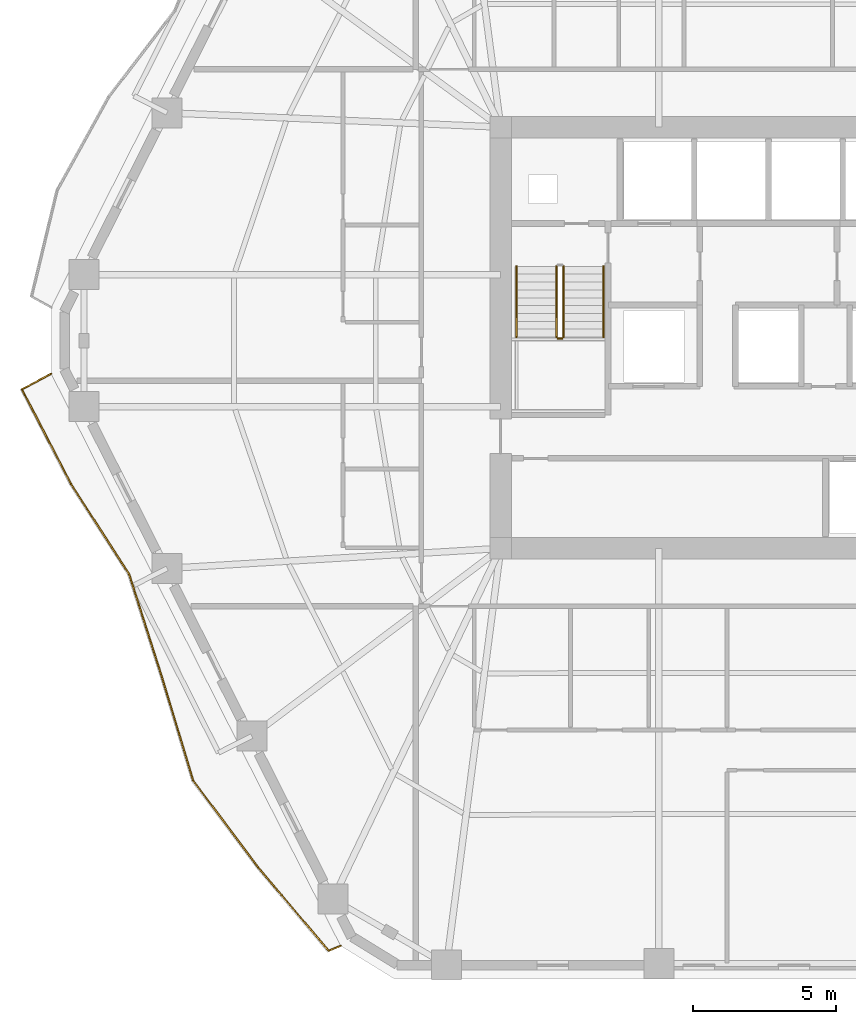
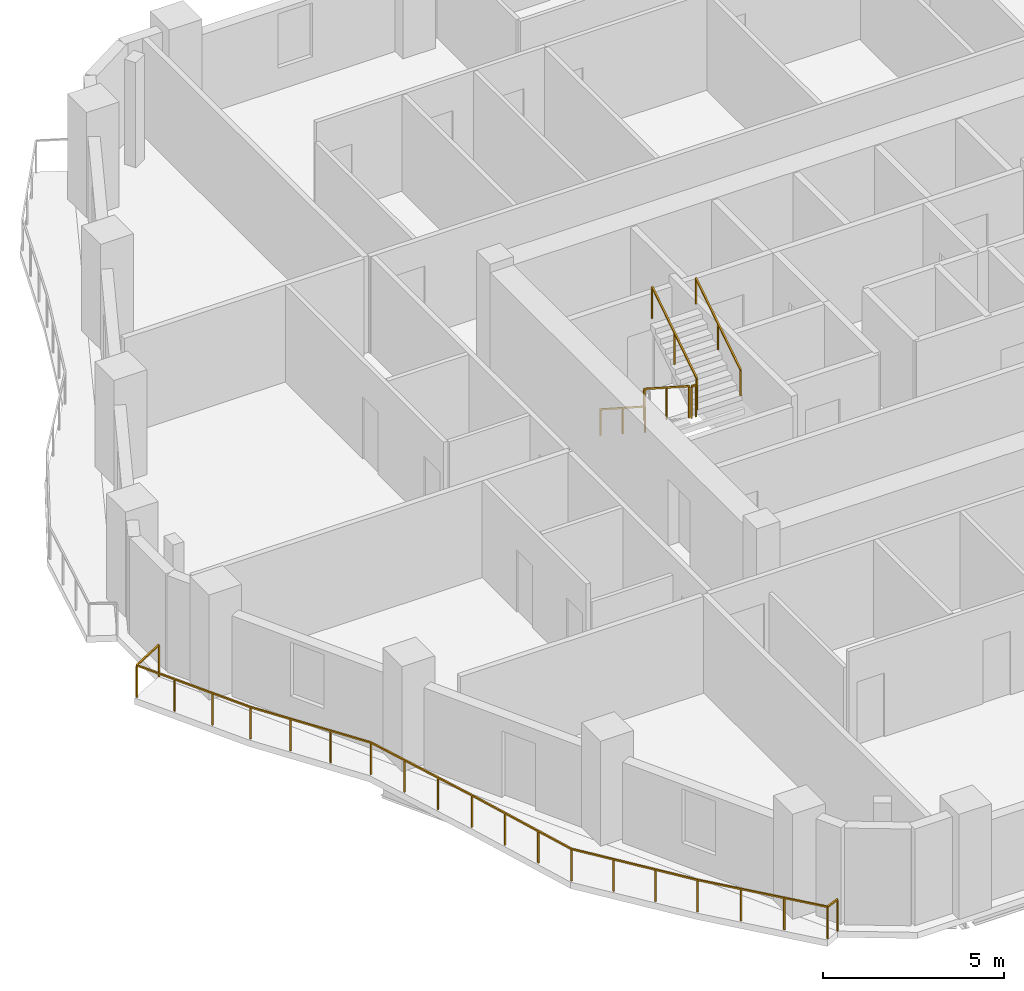
# One storey, part 9 of 11: 6 railings.
"""IFC4 building model written with IfcOpenShell, lengths in metres."""

from ifc_helpers import new_model, si_unit, direction, frame, origin, origin_2d, place, context, subcontext, project, spatial, rectangle, extrude, material, type_object, element, save


model = new_model("IFC4")

# Units and contexts
model_context = context("Model", 3, precision=1e-05, world=origin(), true_north=direction((0.0, 1.0)))
body_context = subcontext(model_context, "Body", "Model", "MODEL_VIEW")
ifc_project = project(units=[si_unit("LENGTHUNIT", "METRE"), si_unit("AREAUNIT", "SQUARE_METRE"), si_unit("VOLUMEUNIT", "CUBIC_METRE"), si_unit("PLANEANGLEUNIT", "RADIAN"), si_unit("MASSUNIT", "GRAM", prefix="KILO")], contexts=[model_context])

# Site, building, storey
site_placement = place(None, origin())
site = spatial("IfcSite", under=ifc_project, at=site_placement, CompositionType="ELEMENT")
building_placement = place(site_placement, origin())
building = spatial("IfcBuilding", under=site, at=building_placement, Name="Cinnabar Lancet Tower", CompositionType="ELEMENT")
storey_placement = place(building_placement, frame((0.0, 0.0, 144.550048828125)))
storey = spatial("IfcBuildingStorey", under=building, at=storey_placement, Name="L38", CompositionType="ELEMENT", Elevation=144.550048828125)

# Railings
ifc_material_1 = material(Name="Laminated safety glass and bronze stainless steel balustrade", Category="steel")
railing_type_1 = type_object("IfcRailingType", Name="ENV-RLG-BAL-1100", PredefinedType="BALUSTRADE", material=ifc_material_1)
railing_1_placement = place(storey_placement, frame((7.287109375, 24.639892578125, 0.0)))
element("IfcRailing", 1, at=railing_1_placement, inside=storey, type_object=railing_type_1, Name="L38 Face 6 Wave Balcony Balustrade", PredefinedType="BALUSTRADE", context=body_context, shape_type="SweptSolid", body=[
    extrude(rectangle(XDim=0.048095703125, YDim=0.048095703125, at=origin_2d()), frame((0.0, 0.0, 1.076171875), z_axis=(-0.881511304116, -0.472162917556, 0.0), x_axis=(0.472162917556, -0.881511304116, 0.0)), (0.0, 0.0, 1.0), 1.158203125),
    extrude(rectangle(XDim=0.048095703125, YDim=0.048095703125, at=origin_2d()), frame((-1.02099609375, -0.546875, 1.076171875), z_axis=(0.459675567449, -0.888086917306, 0.0), x_axis=(0.888086917306, 0.459675567449, 0.0)), (0.0, 0.0, 1.0), 3.732666015625),
    extrude(rectangle(XDim=0.048095703125, YDim=0.048095703125, at=origin_2d()), frame((0.69482421875, -3.86181640625, 1.076171875), z_axis=(0.541885240181, -0.840452489124, 0.0), x_axis=(0.840452489124, 0.541885240181, 0.0)), (0.0, 0.0, 1.0), 3.751708984375),
    extrude(rectangle(XDim=0.048095703125, YDim=0.048095703125, at=origin_2d()), frame((2.727783203125, -7.014892578125, 1.076171875), z_axis=(0.304163702154, -0.952619778449, 0.0), x_axis=(0.952619778449, 0.304163702154, 0.0)), (0.0, 0.0, 1.0), 3.778076171875),
    extrude(rectangle(XDim=0.048095703125, YDim=0.048095703125, at=origin_2d()), frame((3.876953125, -10.614013671875, 1.076171875), z_axis=(0.28847084882, -0.957488678461, 0.0), x_axis=(0.957488678461, 0.28847084882, 0.0)), (0.0, 0.0, 1.0), 3.7890625),
    extrude(rectangle(XDim=0.048095703125, YDim=0.048095703125, at=origin_2d()), frame((4.969970703125, -14.241943359375, 1.076171875), z_axis=(0.59970107381, -0.800224107405, 0.0), x_axis=(0.800224107405, 0.59970107381, 0.0)), (0.0, 0.0, 1.0), 3.7900390625),
    extrude(rectangle(XDim=0.048095703125, YDim=0.048095703125, at=origin_2d()), frame((7.242919921875, -17.27490234375, 1.076171875), z_axis=(0.644988333393, -0.764192416729, 0.0), x_axis=(0.764192416729, 0.644988333393, 0.0)), (0.0, 0.0, 1.0), 3.833984375),
    extrude(rectangle(XDim=0.048095703125, YDim=0.048095703125, at=origin_2d()), frame((9.7158203125, -20.204833984375, 1.076171875), z_axis=(0.922374031104, 0.386298002513, 0.0), x_axis=(-0.386298002513, 0.922374031104, 0.0)), (0.0, 0.0, 1.0), 0.453125),
    extrude(rectangle(XDim=0.0419921875, YDim=0.0419921875, at=origin_2d()), origin(), (0.0, 0.0, 1.0), 1.052001953125),
    extrude(rectangle(XDim=0.0419921875, YDim=0.0419921875, at=origin_2d()), frame((-1.02099609375, -0.546875, 0.0)), (0.0, 0.0, 1.0), 1.052001953125),
    extrude(rectangle(XDim=0.0419921875, YDim=0.0419921875, at=origin_2d()), frame((-0.448974609375, -1.65185546875, 0.0)), (0.0, 0.0, 1.0), 1.052001953125),
    extrude(rectangle(XDim=0.0419921875, YDim=0.0419921875, at=origin_2d()), frame((0.122802734375, -2.7568359375, 0.0)), (0.0, 0.0, 1.0), 1.052001953125),
    extrude(rectangle(XDim=0.0419921875, YDim=0.0419921875, at=origin_2d()), frame((0.69482421875, -3.86181640625, 0.0)), (0.0, 0.0, 1.0), 1.052001953125),
    extrude(rectangle(XDim=0.0419921875, YDim=0.0419921875, at=origin_2d()), frame((1.37255859375, -4.912841796875, 0.0)), (0.0, 0.0, 1.0), 1.052001953125),
    extrude(rectangle(XDim=0.0419921875, YDim=0.0419921875, at=origin_2d()), frame((2.050048828125, -5.9638671875, 0.0)), (0.0, 0.0, 1.0), 1.052001953125),
    extrude(rectangle(XDim=0.0419921875, YDim=0.0419921875, at=origin_2d()), frame((2.727783203125, -7.014892578125, 0.0)), (0.0, 0.0, 1.0), 1.052001953125),
    extrude(rectangle(XDim=0.0419921875, YDim=0.0419921875, at=origin_2d()), frame((3.11083984375, -8.214599609375, 0.0)), (0.0, 0.0, 1.0), 1.052001953125),
    extrude(rectangle(XDim=0.0419921875, YDim=0.0419921875, at=origin_2d()), frame((3.493896484375, -9.414306640625, 0.0)), (0.0, 0.0, 1.0), 1.052001953125),
    extrude(rectangle(XDim=0.0419921875, YDim=0.0419921875, at=origin_2d()), frame((3.876953125, -10.614013671875, 0.0)), (0.0, 0.0, 1.0), 1.052001953125),
    extrude(rectangle(XDim=0.0419921875, YDim=0.0419921875, at=origin_2d()), frame((4.2412109375, -11.8232421875, 0.0)), (0.0, 0.0, 1.0), 1.052001953125),
    extrude(rectangle(XDim=0.0419921875, YDim=0.0419921875, at=origin_2d()), frame((4.605712890625, -13.03271484375, 0.0)), (0.0, 0.0, 1.0), 1.052001953125),
    extrude(rectangle(XDim=0.0419921875, YDim=0.0419921875, at=origin_2d()), frame((4.969970703125, -14.241943359375, 0.0)), (0.0, 0.0, 1.0), 1.052001953125),
    extrude(rectangle(XDim=0.0419921875, YDim=0.0419921875, at=origin_2d()), frame((5.7275390625, -15.2529296875, 0.0)), (0.0, 0.0, 1.0), 1.052001953125),
    extrude(rectangle(XDim=0.0419921875, YDim=0.0419921875, at=origin_2d()), frame((6.4853515625, -16.263916015625, 0.0)), (0.0, 0.0, 1.0), 1.052001953125),
    extrude(rectangle(XDim=0.0419921875, YDim=0.0419921875, at=origin_2d()), frame((7.242919921875, -17.27490234375, 0.0)), (0.0, 0.0, 1.0), 1.052001953125),
    extrude(rectangle(XDim=0.0419921875, YDim=0.0419921875, at=origin_2d()), frame((8.067138671875, -18.25146484375, 0.0)), (0.0, 0.0, 1.0), 1.052001953125),
    extrude(rectangle(XDim=0.0419921875, YDim=0.0419921875, at=origin_2d()), frame((8.8916015625, -19.228271484375, 0.0)), (0.0, 0.0, 1.0), 1.052001953125),
    extrude(rectangle(XDim=0.0419921875, YDim=0.0419921875, at=origin_2d()), frame((9.7158203125, -20.204833984375, 0.0)), (0.0, 0.0, 1.0), 1.052001953125),
    extrude(rectangle(XDim=0.0419921875, YDim=0.0419921875, at=origin_2d()), frame((10.1337890625, -20.02978515625, 0.0)), (0.0, 0.0, 1.0), 1.052001953125),
])
ifc_material_2 = material(Name="Painted galvanized steel balustrade", Category="steel")
railing_type_2 = type_object("IfcRailingType", Name="GUARD-STAIR", PredefinedType="GUARDRAIL", material=ifc_material_2)
railing_2_placement = place(storey_placement, frame((24.97509765625, 28.39990234375, 0.177490234375)))
element("IfcRailing", 2, at=railing_2_placement, inside=storey, type_object=railing_type_2, Name="L38 ST-1 stair guard 1", PredefinedType="GUARDRAIL", context=body_context, shape_type="SweptSolid", body=[
    extrude(rectangle(XDim=0.048095703125, YDim=0.048095703125, at=origin_2d()), frame((0.0, 0.0, 1.076171875), z_axis=(0.0, -0.840183358697, 0.542302428327), x_axis=(1.0, 0.0, 0.0)), (0.0, 0.0, 1.0), 2.945556640625),
    extrude(rectangle(XDim=0.0419921875, YDim=0.0419921875, at=origin_2d()), origin(), (0.0, 0.0, 1.0), 1.052001953125),
    extrude(rectangle(XDim=0.0419921875, YDim=0.0419921875, at=origin_2d()), frame((0.0, -1.2373046875, 0.798828125)), (0.0, 0.0, 1.0), 1.052001953125),
    extrude(rectangle(XDim=0.0419921875, YDim=0.0419921875, at=origin_2d()), frame((0.0, -2.474853515625, 1.597412109375)), (0.0, 0.0, 1.0), 1.052001953125),
])
railing_3_placement = place(storey_placement, frame((25.02490234375, 25.875, 1.77490234375)))
element("IfcRailing", 3, at=railing_3_placement, inside=storey, type_object=railing_type_2, Name="L38 ST-1 stair guard 2", PredefinedType="GUARDRAIL", context=body_context, shape_type="SweptSolid", body=[
    extrude(rectangle(XDim=0.048095703125, YDim=0.048095703125, at=origin_2d()), frame((0.0, 0.0, 1.076171875), z_axis=(1.0, 0.0, 0.0), x_axis=(0.0, 1.0, 0.0)), (0.0, 0.0, 1.0), 0.150146484375),
    extrude(rectangle(XDim=0.0419921875, YDim=0.0419921875, at=origin_2d()), origin(), (0.0, 0.0, 1.0), 1.052001953125),
    extrude(rectangle(XDim=0.0419921875, YDim=0.0419921875, at=origin_2d()), frame((0.150146484375, 0.0, 0.0)), (0.0, 0.0, 1.0), 1.052001953125),
])
railing_4_placement = place(storey_placement, frame((25.22509765625, 25.925048828125, 1.952392578125)))
element("IfcRailing", 4, at=railing_4_placement, inside=storey, type_object=railing_type_2, Name="L38 ST-1 stair guard 3", PredefinedType="GUARDRAIL", context=body_context, shape_type="SweptSolid", body=[
    extrude(rectangle(XDim=0.048095703125, YDim=0.048095703125, at=origin_2d()), frame((0.0, 0.0, 1.076171875), z_axis=(0.0, 0.84014559416, 0.542360932049), x_axis=(-1.0, 0.0, 0.0)), (0.0, 0.0, 1.0), 2.94580078125),
    extrude(rectangle(XDim=0.0419921875, YDim=0.0419921875, at=origin_2d()), origin(), (0.0, 0.0, 1.0), 1.052001953125),
    extrude(rectangle(XDim=0.0419921875, YDim=0.0419921875, at=origin_2d()), frame((0.0, 1.2373046875, 0.798828125)), (0.0, 0.0, 1.0), 1.052001953125),
    extrude(rectangle(XDim=0.0419921875, YDim=0.0419921875, at=origin_2d()), frame((0.0, 2.474853515625, 1.59765625)), (0.0, 0.0, 1.0), 1.052001953125),
])
ifc_material_3 = material(Name="Brushed stainless steel handrail", Category="steel")
railing_type_3 = type_object("IfcRailingType", Name="HANDRAIL-STAIR", PredefinedType="HANDRAIL", material=ifc_material_3)
railing_5_placement = place(storey_placement, frame((23.574951171875, 28.39990234375, 0.177490234375)))
element("IfcRailing", 5, at=railing_5_placement, inside=storey, type_object=railing_type_3, Name="L38 ST-1 stair handrail 1", PredefinedType="HANDRAIL", context=body_context, shape_type="SweptSolid", body=[
    extrude(rectangle(XDim=0.048095703125, YDim=0.048095703125, at=origin_2d()), frame((0.0, 0.0, 0.8759765625), z_axis=(0.0, -0.840183358697, 0.542302428327), x_axis=(1.0, 0.0, 0.0)), (0.0, 0.0, 1.0), 2.945556640625),
    extrude(rectangle(XDim=0.0419921875, YDim=0.0419921875, at=origin_2d()), origin(), (0.0, 0.0, 1.0), 0.851806640625),
    extrude(rectangle(XDim=0.0419921875, YDim=0.0419921875, at=origin_2d()), frame((0.0, -1.2373046875, 0.798828125)), (0.0, 0.0, 1.0), 0.851806640625),
    extrude(rectangle(XDim=0.0419921875, YDim=0.0419921875, at=origin_2d()), frame((0.0, -2.474853515625, 1.597412109375)), (0.0, 0.0, 1.0), 0.851806640625),
])
railing_6_placement = place(storey_placement, frame((26.625, 25.925048828125, 1.952392578125)))
element("IfcRailing", 6, at=railing_6_placement, inside=storey, type_object=railing_type_3, Name="L38 ST-1 stair handrail 2", PredefinedType="HANDRAIL", context=body_context, shape_type="SweptSolid", body=[
    extrude(rectangle(XDim=0.048095703125, YDim=0.048095703125, at=origin_2d()), frame((0.0, 0.0, 0.8759765625), z_axis=(0.0, 0.84014559416, 0.542360932049), x_axis=(-1.0, 0.0, 0.0)), (0.0, 0.0, 1.0), 2.94580078125),
    extrude(rectangle(XDim=0.0419921875, YDim=0.0419921875, at=origin_2d()), origin(), (0.0, 0.0, 1.0), 0.851806640625),
    extrude(rectangle(XDim=0.0419921875, YDim=0.0419921875, at=origin_2d()), frame((0.0, 1.2373046875, 0.798828125)), (0.0, 0.0, 1.0), 0.851806640625),
    extrude(rectangle(XDim=0.0419921875, YDim=0.0419921875, at=origin_2d()), frame((0.0, 2.474853515625, 1.59765625)), (0.0, 0.0, 1.0), 0.851806640625),
])

save(model, "model.ifc")
